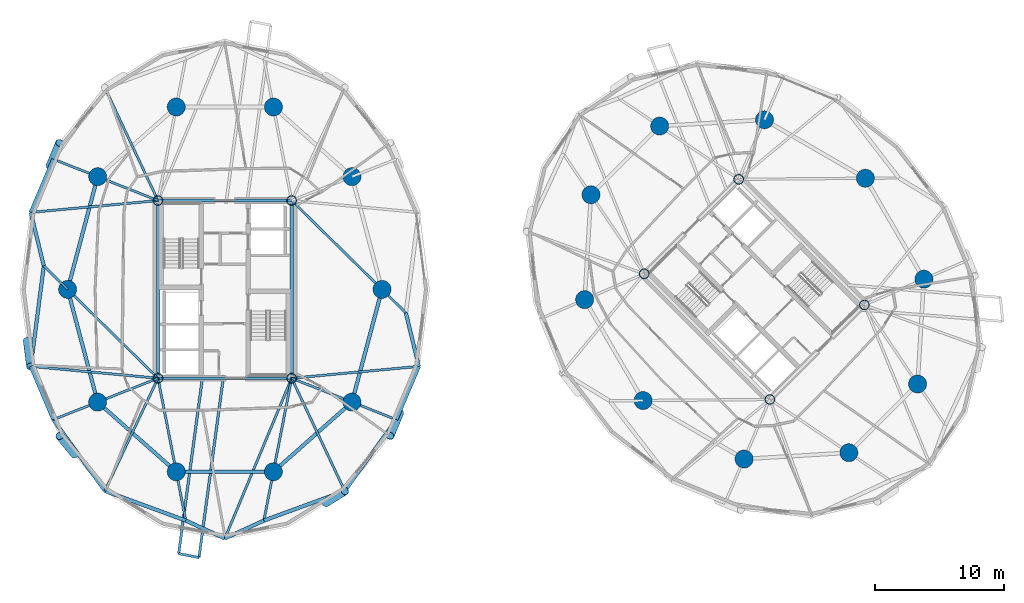
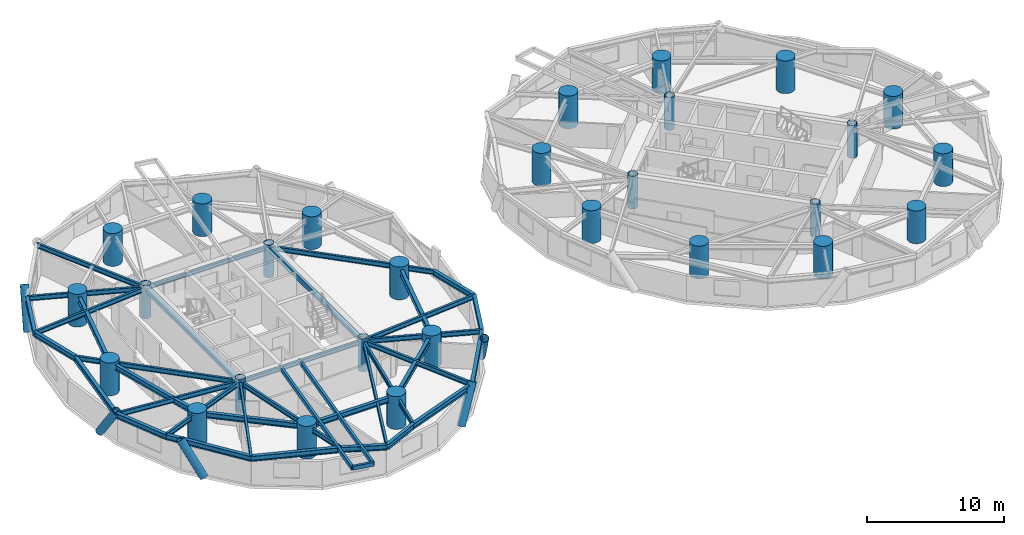
# One storey, part 1 of 17: 40 beams, 28 columns, 5 members.
"""IFC4 building model written with IfcOpenShell, lengths in metres."""

from ifc_helpers import new_model, si_unit, direction, frame, origin, origin_2d, place, context, subcontext, project, spatial, hollow_rectangle, circle, hollow_circle, i_section, extrude, material, material_profile, profile_set, type_object, element, save


model = new_model("IFC4")

# Units and contexts
model_context = context("Model", 3, precision=1e-05, world=origin(), true_north=direction((0.0, 1.0)))
body_context = subcontext(model_context, "Body", "Model", "MODEL_VIEW")
ifc_project = project(units=[si_unit("LENGTHUNIT", "METRE"), si_unit("AREAUNIT", "SQUARE_METRE"), si_unit("VOLUMEUNIT", "CUBIC_METRE"), si_unit("PLANEANGLEUNIT", "RADIAN"), si_unit("MASSUNIT", "GRAM", prefix="KILO")], contexts=[model_context])

# Site, building, storey
site_placement = place(None, origin())
site = spatial("IfcSite", under=ifc_project, at=site_placement, CompositionType="ELEMENT")
building_placement = place(site_placement, origin())
building = spatial("IfcBuilding", under=site, at=building_placement, Name="Cununo Teusaquillo Station Towers", CompositionType="ELEMENT")
storey_placement = place(building_placement, frame((0.0, 0.0, 116.7099609375)))
storey = spatial("IfcBuildingStorey", under=building, at=storey_placement, Name="L37", CompositionType="ELEMENT", Elevation=116.7099609375)

# Columns
ifc_material_1 = material(Name="Steel EN 10025-2 S355J2", Category="steel")
ifc_material_profile_1 = material_profile(ifc_material_1, hollow_circle(Radius=0.3798828125, WallThickness=0.031982421875, at=origin_2d()), Name="CHS 760x32")
ifc_profile_set_1 = profile_set([ifc_material_profile_1], Name="Steel EN 10025-2 S355J2")
column_type_1 = type_object("IfcColumnType", Name="COL-CORE-Z2", PredefinedType="COLUMN", material=ifc_profile_set_1)
for number, where, z_axis, x_axis, name in (
    (1, (11.324951171875, 17.6201171875, 0.0), (0.0, 0.0, 1.0), (1.0, 0.0, 0.0), "L37 Tower A Core Column 1"),
    (2, (11.324951171875, 31.3798828125, 0.0), (0.0, 0.0, 1.0), (1.0, 0.0, 0.0), "L37 Tower A Core Column 2"),
    (3, (21.675048828125, 17.6201171875, 0.0), (0.0, 0.0, 1.0), (1.0, 0.0, 0.0), "L37 Tower A Core Column 3"),
    (4, (21.675048828125, 31.3798828125, 0.0), (0.0, 0.0, 1.0), (1.0, 0.0, 0.0), "L37 Tower A Core Column 4"),
    (5, (58.70556640625, 15.975830078125, 0.0), (0.0, 0.0, 1.0), (0.707106781187, 0.707106781187, 0.0), "L37 Tower B Core Column 1"),
    (6, (48.975830078125, 25.70556640625, 0.0), (0.0, 0.0, 1.0), (0.707106781187, 0.707106781187, 0.0), "L37 Tower B Core Column 2"),
    (7, (66.024169921875, 23.29443359375, 0.0), (0.0, 0.0, 1.0), (0.707106781187, 0.707106781187, 0.0), "L37 Tower B Core Column 3"),
    (8, (56.29443359375, 33.024169921875, 0.0), (0.0, 0.0, 1.0), (0.707106781187, 0.707106781187, 0.0), "L37 Tower B Core Column 4"),
):
    element("IfcColumn", number, at=place(storey_placement, frame(where, z_axis=z_axis, x_axis=x_axis)), inside=storey, type_object=column_type_1, Name=name, PredefinedType="COLUMN", context=body_context, shape_type="SweptSolid", body=[
        extrude(hollow_circle(Radius=0.3798828125, WallThickness=0.031982421875, at=origin_2d()), origin(), (0.0, 0.0, 1.0), 2.91015625),
    ])
ifc_material_2 = material(Name="Concrete C60/75", Category="concrete")
ifc_material_profile_2 = material_profile(ifc_material_2, circle(Radius=0.699951171875, at=origin_2d()), Name="RC-CIRC-1400")
ifc_profile_set_2 = profile_set([ifc_material_profile_2], Name="Concrete C60/75")
column_type_2 = type_object("IfcColumnType", Name="COL-MEGA-Z2", PredefinedType="USERDEFINED", material=ifc_profile_set_2)
for number, where, z_axis, x_axis, name in (
    (9, (28.672119140625, 24.5, 0.0), (0.0, 0.0, 1.0), (1.0, 0.0, 0.0), "L37 Tower A Perimeter Column V00"),
    (10, (26.347412109375, 33.228515625, 0.0), (0.0, 0.0, 1.0), (1.0, 0.0, 0.0), "L37 Tower A Perimeter Column V02"),
    (11, (20.261474609375, 38.623291015625, 0.0), (0.0, 0.0, 1.0), (1.0, 0.0, 0.0), "L37 Tower A Perimeter Column V04"),
    (12, (12.738525390625, 38.623291015625, 0.0), (0.0, 0.0, 1.0), (1.0, 0.0, 0.0), "L37 Tower A Perimeter Column V06"),
    (13, (6.652587890625, 33.228515625, 0.0), (0.0, 0.0, 1.0), (1.0, 0.0, 0.0), "L37 Tower A Perimeter Column V08"),
    (14, (4.327880859375, 24.5, 0.0), (0.0, 0.0, 1.0), (1.0, 0.0, 0.0), "L37 Tower A Perimeter Column V10"),
    (15, (6.652587890625, 15.771484375, 0.0), (0.0, 0.0, 1.0), (1.0, 0.0, 0.0), "L37 Tower A Perimeter Column V12"),
    (16, (12.738525390625, 10.376708984375, 0.0), (0.0, 0.0, 1.0), (1.0, 0.0, 0.0), "L37 Tower A Perimeter Column V14"),
    (17, (20.261474609375, 10.376708984375, 0.0), (0.0, 0.0, 1.0), (1.0, 0.0, 0.0), "L37 Tower A Perimeter Column V16"),
    (18, (26.347412109375, 15.771484375, 0.0), (0.0, 0.0, 1.0), (1.0, 0.0, 0.0), "L37 Tower A Perimeter Column V18"),
    (19, (66.10693359375, 33.10693359375, 0.0), (0.0, 0.0, 1.0), (1.0, 0.0, 0.0), "L37 Tower B Perimeter Column V00"),
    (20, (58.291015625, 37.63525390625, 0.0), (0.0, 0.0, 1.0), (1.0, 0.0, 0.0), "L37 Tower B Perimeter Column V02"),
    (21, (50.173095703125, 37.146240234375, 0.0), (0.0, 0.0, 1.0), (1.0, 0.0, 0.0), "L37 Tower B Perimeter Column V04"),
    (22, (44.853759765625, 31.826904296875, 0.0), (0.0, 0.0, 1.0), (1.0, 0.0, 0.0), "L37 Tower B Perimeter Column V06"),
    (23, (44.36474609375, 23.708984375, 0.0), (0.0, 0.0, 1.0), (1.0, 0.0, 0.0), "L37 Tower B Perimeter Column V08"),
    (24, (48.89306640625, 15.89306640625, 0.0), (0.0, 0.0, 1.0), (1.0, 0.0, 0.0), "L37 Tower B Perimeter Column V10"),
    (25, (56.708984375, 11.36474609375, 0.0), (0.0, 0.0, 1.0), (1.0, 0.0, 0.0), "L37 Tower B Perimeter Column V12"),
    (26, (64.826904296875, 11.853759765625, 0.0), (0.0, 0.0, 1.0), (1.0, 0.0, 0.0), "L37 Tower B Perimeter Column V14"),
    (27, (70.146240234375, 17.173095703125, 0.0), (0.0, 0.0, 1.0), (1.0, 0.0, 0.0), "L37 Tower B Perimeter Column V16"),
    (28, (70.63525390625, 25.291015625, 0.0), (0.0, 0.0, 1.0), (1.0, 0.0, 0.0), "L37 Tower B Perimeter Column V18"),
):
    element("IfcColumn", number, at=place(storey_placement, frame(where, z_axis=z_axis, x_axis=x_axis)), inside=storey, type_object=column_type_2, Name=name, ObjectType="MEGA COLUMN", PredefinedType="USERDEFINED", context=body_context, shape_type="SweptSolid", body=[
        extrude(circle(Radius=0.699951171875, at=origin_2d()), origin(), (0.0, 0.0, 1.0), 2.91015625),
    ])

# Beams
ifc_material_3 = material(Name="Steel EN 10025-2 S355J2", Category="steel")
ifc_material_profile_3 = material_profile(ifc_material_3, hollow_rectangle(XDim=0.199951171875, YDim=0.35009765625, WallThickness=0.013916015625, at=origin_2d()), Name="RHS 350x200x14")
ifc_profile_set_3 = profile_set([ifc_material_profile_3], Name="Steel EN 10025-2 S355J2")
beam_type_1 = type_object("IfcBeamType", Name="BM-BAL-CANT", PredefinedType="BEAM", material=ifc_profile_set_3)
beam_1_placement = place(storey_placement, frame((14.793701171875, 17.85009765625, 2.4951171875), z_axis=(-0.133960678738, -0.990986648019, 0.0), x_axis=(0.990986648019, -0.133960678738, 0.0)))
element("IfcBeam", 29, at=beam_1_placement, inside=storey, type_object=beam_type_1, Name="L37 Tower A Balcony Cantilever Bracket 2A", PredefinedType="BEAM", context=body_context, shape_type="SweptSolid", body=[
    extrude(hollow_rectangle(XDim=0.199951171875, YDim=0.35009765625, WallThickness=0.013916015625, at=origin_2d()), origin(), (0.0, 0.0, 1.0), 13.9345703125),
])
beam_2_placement = place(storey_placement, frame((16.40869140625, 17.85009765625, 2.4951171875), z_axis=(-0.133936551357, -0.990989909237, 0.0), x_axis=(0.990989909237, -0.133936551357, 0.0)))
element("IfcBeam", 30, at=beam_2_placement, inside=storey, type_object=beam_type_1, Name="L37 Tower A Balcony Cantilever Bracket 2B", PredefinedType="BEAM", context=body_context, shape_type="SweptSolid", body=[
    extrude(hollow_rectangle(XDim=0.199951171875, YDim=0.35009765625, WallThickness=0.013916015625, at=origin_2d()), origin(), (0.0, 0.0, 1.0), 14.24169921875),
])
ifc_material_4 = material(Name="Steel EN 10025-2 S355J2", Category="steel")
ifc_material_profile_4 = material_profile(ifc_material_4, hollow_rectangle(XDim=0.25, YDim=0.449951171875, WallThickness=0.01611328125, at=origin_2d()), Name="RHS 450x250x16")
ifc_profile_set_4 = profile_set([ifc_material_profile_4], Name="Steel EN 10025-2 S355J2")
beam_type_2 = type_object("IfcBeamType", Name="BM-COUP-1", PredefinedType="USERDEFINED", material=ifc_profile_set_4)
for number, where, z_axis, x_axis, name in (
    (31, (11.324951171875, 17.6201171875, 2.445068359375), (0.0, 1.0, 0.0), (-1.0, 0.0, 0.0), "L37 Tower A Core Beam 1"),
    (32, (21.675048828125, 17.6201171875, 2.445068359375), (0.0, 1.0, 0.0), (-1.0, 0.0, 0.0), "L37 Tower A Core Beam 2"),
):
    element("IfcBeam", number, at=place(storey_placement, frame(where, z_axis=z_axis, x_axis=x_axis)), inside=storey, type_object=beam_type_2, Name=name, ObjectType="COUPLING BEAM", PredefinedType="USERDEFINED", context=body_context, shape_type="SweptSolid", body=[
        extrude(hollow_rectangle(XDim=0.25, YDim=0.449951171875, WallThickness=0.01611328125, at=origin_2d()), origin(), (0.0, 0.0, 1.0), 13.759765625),
    ])
ifc_material_5 = material(Name="Steel ASTM A572 Grade 50", Category="steel")
ifc_material_profile_5 = material_profile(ifc_material_5, i_section(OverallWidth=0.180908203125, OverallDepth=0.4169921875, WebThickness=0.010986328125, FlangeThickness=0.018310546875, FilletRadius=0.012939453125, at=origin_2d()), Name="W16X57")
ifc_profile_set_5 = profile_set([ifc_material_profile_5], Name="Steel ASTM A572 Grade 50")
beam_type_3 = type_object("IfcBeamType", Name="BM-JOIST-1", PredefinedType="JOIST", material=ifc_profile_set_5)
beam_3_placement = place(storey_placement, frame((11.324951171875, 31.3798828125, 2.46142578125), z_axis=(-0.426319838016, 0.904572493344, 0.0), x_axis=(-0.904572493344, -0.426319838016, 0.0)))
element("IfcBeam", 33, at=beam_3_placement, inside=storey, type_object=beam_type_3, Name="L37 Tower A Radial Spandrel Joist V07", PredefinedType="JOIST", context=body_context, shape_type="SweptSolid", body=[
    extrude(i_section(OverallWidth=0.180908203125, OverallDepth=0.4169921875, WebThickness=0.010986328125, FlangeThickness=0.018310546875, FilletRadius=0.012939453125, at=origin_2d()), origin(), (0.0, 0.0, 1.0), 9.646728515625),
])
for number, where, z_axis, x_axis, name in (
    (34, (11.324951171875, 31.3798828125, 2.46142578125), (-0.995678537907, -0.09286683558, 0.0), (0.09286683558, -0.995678537907, 0.0), "L37 Tower A Radial Spandrel Joist V09"),
    (35, (11.324951171875, 17.6201171875, 2.46142578125), (-0.995678537907, 0.09286683558, 0.0), (-0.09286683558, -0.995678537907, 0.0), "L37 Tower A Radial Spandrel Joist V11"),
):
    element("IfcBeam", number, at=place(storey_placement, frame(where, z_axis=z_axis, x_axis=x_axis)), inside=storey, type_object=beam_type_3, Name=name, PredefinedType="JOIST", context=body_context, shape_type="SweptSolid", body=[
        extrude(i_section(OverallWidth=0.180908203125, OverallDepth=0.4169921875, WebThickness=0.010986328125, FlangeThickness=0.018310546875, FilletRadius=0.012939453125, at=origin_2d()), origin(), (0.0, 0.0, 1.0), 9.895263671875),
    ])
beam_4_placement = place(storey_placement, frame((11.324951171875, 17.6201171875, 2.46142578125), z_axis=(-0.426319838016, -0.904572493344, 0.0), x_axis=(0.904572493344, -0.426319838016, 0.0)))
element("IfcBeam", 36, at=beam_4_placement, inside=storey, type_object=beam_type_3, Name="L37 Tower A Radial Spandrel Joist V13", PredefinedType="JOIST", context=body_context, shape_type="SweptSolid", body=[
    extrude(i_section(OverallWidth=0.180908203125, OverallDepth=0.4169921875, WebThickness=0.010986328125, FlangeThickness=0.018310546875, FilletRadius=0.012939453125, at=origin_2d()), origin(), (0.0, 0.0, 1.0), 9.646728515625),
])
beam_5_placement = place(storey_placement, frame((21.675048828125, 17.6201171875, 2.46142578125), z_axis=(-0.38487837995, -0.922967297713, 0.0), x_axis=(0.922967297713, -0.38487837995, 0.0)))
element("IfcBeam", 37, at=beam_5_placement, inside=storey, type_object=beam_type_3, Name="L37 Tower A Radial Spandrel Joist V15", PredefinedType="JOIST", context=body_context, shape_type="SweptSolid", body=[
    extrude(i_section(OverallWidth=0.180908203125, OverallDepth=0.4169921875, WebThickness=0.010986328125, FlangeThickness=0.018310546875, FilletRadius=0.012939453125, at=origin_2d()), origin(), (0.0, 0.0, 1.0), 13.446044921875),
])
beam_6_placement = place(storey_placement, frame((21.675048828125, 17.6201171875, 2.46142578125), z_axis=(0.426319838016, -0.904572493344, 0.0), x_axis=(0.904572493344, 0.426319838016, 0.0)))
element("IfcBeam", 38, at=beam_6_placement, inside=storey, type_object=beam_type_3, Name="L37 Tower A Radial Spandrel Joist V17", PredefinedType="JOIST", context=body_context, shape_type="SweptSolid", body=[
    extrude(i_section(OverallWidth=0.180908203125, OverallDepth=0.4169921875, WebThickness=0.010986328125, FlangeThickness=0.018310546875, FilletRadius=0.012939453125, at=origin_2d()), origin(), (0.0, 0.0, 1.0), 9.646728515625),
])
beam_7_placement = place(storey_placement, frame((21.675048828125, 17.6201171875, 2.46142578125), z_axis=(0.995678537907, 0.09286683558, 0.0), x_axis=(-0.09286683558, 0.995678537907, 0.0)))
element("IfcBeam", 39, at=beam_7_placement, inside=storey, type_object=beam_type_3, Name="L37 Tower A Radial Spandrel Joist V19", PredefinedType="JOIST", context=body_context, shape_type="SweptSolid", body=[
    extrude(i_section(OverallWidth=0.180908203125, OverallDepth=0.4169921875, WebThickness=0.010986328125, FlangeThickness=0.018310546875, FilletRadius=0.012939453125, at=origin_2d()), origin(), (0.0, 0.0, 1.0), 9.895263671875),
])
ifc_material_6 = material(Name="Steel ASTM A572 Grade 50", Category="steel")
ifc_material_profile_6 = material_profile(ifc_material_6, i_section(OverallWidth=0.2041015625, OverallDepth=0.35009765625, WebThickness=0.008544921875, FlangeThickness=0.01513671875, FilletRadius=0.011962890625, at=origin_2d()), Name="W14X48")
ifc_profile_set_6 = profile_set([ifc_material_profile_6], Name="Steel ASTM A572 Grade 50")
beam_type_4 = type_object("IfcBeamType", Name="BM-LINTEL-1", PredefinedType="LINTEL", material=ifc_profile_set_6)
for number, where, z_axis, x_axis, name in (
    (40, (11.324951171875, 17.6201171875, 2.4951171875), (1.0, 0.0, 0.0), (0.0, 1.0, 0.0), "L37 Tower A Core Beam 3"),
    (41, (11.324951171875, 31.3798828125, 2.4951171875), (1.0, 0.0, 0.0), (0.0, 1.0, 0.0), "L37 Tower A Core Beam 4"),
):
    element("IfcBeam", number, at=place(storey_placement, frame(where, z_axis=z_axis, x_axis=x_axis)), inside=storey, type_object=beam_type_4, Name=name, PredefinedType="LINTEL", context=body_context, shape_type="SweptSolid", body=[
        extrude(i_section(OverallWidth=0.2041015625, OverallDepth=0.35009765625, WebThickness=0.008544921875, FlangeThickness=0.01513671875, FilletRadius=0.011962890625, at=origin_2d()), origin(), (0.0, 0.0, 1.0), 10.35009765625),
    ])
ifc_material_7 = material(Name="Steel ASTM A572 Grade 50", Category="steel")
ifc_material_profile_7 = material_profile(ifc_material_7, i_section(OverallWidth=0.180908203125, OverallDepth=0.4169921875, WebThickness=0.010986328125, FlangeThickness=0.018310546875, FilletRadius=0.012939453125, at=origin_2d()), Name="W16X57")
ifc_profile_set_7 = profile_set([ifc_material_profile_7], Name="Steel ASTM A572 Grade 50")
beam_type_5 = type_object("IfcBeamType", Name="BM-RAD-G2", PredefinedType="BEAM", material=ifc_profile_set_7)
beam_8_placement = place(storey_placement, frame((21.675048828125, 31.3798828125, 2.46142578125), z_axis=(0.713047137857, -0.701116095375, 0.0), x_axis=(0.701116095375, 0.713047137857, 0.0)))
element("IfcBeam", 42, at=beam_8_placement, inside=storey, type_object=beam_type_5, Name="L37 Tower A Continuous Overhanging Radial Girder 01", PredefinedType="BEAM", context=body_context, shape_type="SweptSolid", body=[
    extrude(i_section(OverallWidth=0.180908203125, OverallDepth=0.4169921875, WebThickness=0.010986328125, FlangeThickness=0.018310546875, FilletRadius=0.012939453125, at=origin_2d()), origin(), (0.0, 0.0, 1.0), 12.400390625),
])
beam_9_placement = place(storey_placement, frame((11.324951171875, 31.3798828125, 2.46142578125), z_axis=(-0.929863123823, 0.367905654963, 0.0), x_axis=(-0.367905654963, -0.929863123823, 0.0)))
element("IfcBeam", 43, at=beam_9_placement, inside=storey, type_object=beam_type_5, Name="L37 Tower A Continuous Overhanging Radial Girder 05", PredefinedType="BEAM", context=body_context, shape_type="SweptSolid", body=[
    extrude(i_section(OverallWidth=0.180908203125, OverallDepth=0.4169921875, WebThickness=0.010986328125, FlangeThickness=0.018310546875, FilletRadius=0.012939453125, at=origin_2d()), origin(), (0.0, 0.0, 1.0), 8.715087890625),
])
beam_10_placement = place(storey_placement, frame((11.324951171875, 17.6201171875, 2.46142578125), z_axis=(-0.713052701438, 0.701110437073, 0.0), x_axis=(-0.701110437073, -0.713052701438, 0.0)))
element("IfcBeam", 44, at=beam_10_placement, inside=storey, type_object=beam_type_5, Name="L37 Tower A Radial Girder 06A", PredefinedType="BEAM", context=body_context, shape_type="SweptSolid", body=[
    extrude(i_section(OverallWidth=0.180908203125, OverallDepth=0.4169921875, WebThickness=0.010986328125, FlangeThickness=0.018310546875, FilletRadius=0.012939453125, at=origin_2d()), origin(), (0.0, 0.0, 1.0), 9.812744140625),
])
beam_11_placement = place(storey_placement, frame((4.327880859375, 24.5, 2.46142578125), z_axis=(-0.7130260383, 0.701137553342, 0.0), x_axis=(-0.701137553342, -0.7130260383, 0.0)))
element("IfcBeam", 45, at=beam_11_placement, inside=storey, type_object=beam_type_5, Name="L37 Tower A Perimeter Overhang Girder 06B", PredefinedType="BEAM", context=body_context, shape_type="SweptSolid", body=[
    extrude(i_section(OverallWidth=0.180908203125, OverallDepth=0.4169921875, WebThickness=0.010986328125, FlangeThickness=0.018310546875, FilletRadius=0.012939453125, at=origin_2d()), origin(), (0.0, 0.0, 1.0), 2.58740234375),
])
beam_12_placement = place(storey_placement, frame((11.324951171875, 17.6201171875, 2.46142578125), z_axis=(-0.929863123823, -0.367905654963, 0.0), x_axis=(0.367905654963, -0.929863123823, 0.0)))
element("IfcBeam", 46, at=beam_12_placement, inside=storey, type_object=beam_type_5, Name="L37 Tower A Continuous Overhanging Radial Girder 07", PredefinedType="BEAM", context=body_context, shape_type="SweptSolid", body=[
    extrude(i_section(OverallWidth=0.180908203125, OverallDepth=0.4169921875, WebThickness=0.010986328125, FlangeThickness=0.018310546875, FilletRadius=0.012939453125, at=origin_2d()), origin(), (0.0, 0.0, 1.0), 8.715087890625),
])
for number, where, z_axis, x_axis, name in (
    (47, (11.324951171875, 17.6201171875, 2.46142578125), (0.191552755713, -0.981482318628, 0.0), (0.981482318628, 0.191552755713, 0.0), "L37 Tower A Continuous Overhanging Radial Girder 08"),
    (48, (21.675048828125, 17.6201171875, 2.46142578125), (-0.191552755713, -0.981482318628, 0.0), (0.981482318628, -0.191552755713, 0.0), "L37 Tower A Continuous Overhanging Radial Girder 09"),
):
    element("IfcBeam", number, at=place(storey_placement, frame(where, z_axis=z_axis, x_axis=x_axis)), inside=storey, type_object=beam_type_5, Name=name, PredefinedType="BEAM", context=body_context, shape_type="SweptSolid", body=[
        extrude(i_section(OverallWidth=0.180908203125, OverallDepth=0.4169921875, WebThickness=0.010986328125, FlangeThickness=0.018310546875, FilletRadius=0.012939453125, at=origin_2d()), origin(), (0.0, 0.0, 1.0), 11.22998046875),
    ])
beam_13_placement = place(storey_placement, frame((21.675048828125, 17.6201171875, 2.46142578125), z_axis=(0.929863123823, -0.367905654963, 0.0), x_axis=(0.367905654963, 0.929863123823, 0.0)))
element("IfcBeam", 49, at=beam_13_placement, inside=storey, type_object=beam_type_5, Name="L37 Tower A Continuous Overhanging Radial Girder 10", PredefinedType="BEAM", context=body_context, shape_type="SweptSolid", body=[
    extrude(i_section(OverallWidth=0.180908203125, OverallDepth=0.4169921875, WebThickness=0.010986328125, FlangeThickness=0.018310546875, FilletRadius=0.012939453125, at=origin_2d()), origin(), (0.0, 0.0, 1.0), 8.715087890625),
])
ifc_material_8 = material(Name="Steel ASTM A572 Grade 50", Category="steel")
ifc_material_profile_8 = material_profile(ifc_material_8, i_section(OverallWidth=0.280029296875, OverallDepth=0.462890625, WebThickness=0.0107421875, FlangeThickness=0.017333984375, FilletRadius=0.013916015625, at=origin_2d()), Name="W18X76")
ifc_profile_set_8 = profile_set([ifc_material_profile_8], Name="Steel ASTM A572 Grade 50")
beam_type_6 = type_object("IfcBeamType", Name="BM-RING-Z2", PredefinedType="SPANDREL", material=ifc_profile_set_8)
for number, where, z_axis, x_axis, name in (
    (50, (6.652587890625, 33.228515625, 2.4384765625), (-0.257363196347, -0.966314744359, 0.0), (0.966314744359, -0.257363196347, 0.0), "L37 Tower A Structural Column Ring Girder 05"),
    (51, (4.327880859375, 24.5, 2.4384765625), (0.257363196347, -0.966314744359, 0.0), (0.966314744359, 0.257363196347, 0.0), "L37 Tower A Structural Column Ring Girder 06"),
):
    element("IfcBeam", number, at=place(storey_placement, frame(where, z_axis=z_axis, x_axis=x_axis)), inside=storey, type_object=beam_type_6, Name=name, PredefinedType="SPANDREL", context=body_context, shape_type="SweptSolid", body=[
        extrude(i_section(OverallWidth=0.280029296875, OverallDepth=0.462890625, WebThickness=0.0107421875, FlangeThickness=0.017333984375, FilletRadius=0.013916015625, at=origin_2d()), origin(), (0.0, 0.0, 1.0), 9.03271484375),
    ])
beam_14_placement = place(storey_placement, frame((6.652587890625, 15.771484375, 2.4384765625), z_axis=(0.74832120039, -0.66333655187, 0.0), x_axis=(0.66333655187, 0.74832120039, 0.0)))
element("IfcBeam", 52, at=beam_14_placement, inside=storey, type_object=beam_type_6, Name="L37 Tower A Structural Column Ring Girder 07", PredefinedType="SPANDREL", context=body_context, shape_type="SweptSolid", body=[
    extrude(i_section(OverallWidth=0.280029296875, OverallDepth=0.462890625, WebThickness=0.0107421875, FlangeThickness=0.017333984375, FilletRadius=0.013916015625, at=origin_2d()), origin(), (0.0, 0.0, 1.0), 8.1328125),
])
beam_15_placement = place(storey_placement, frame((12.738525390625, 10.376708984375, 2.4384765625), z_axis=(1.0, 0.0, 0.0), x_axis=(0.0, 1.0, 0.0)))
element("IfcBeam", 53, at=beam_15_placement, inside=storey, type_object=beam_type_6, Name="L37 Tower A Structural Column Ring Girder 08", PredefinedType="SPANDREL", context=body_context, shape_type="SweptSolid", body=[
    extrude(i_section(OverallWidth=0.280029296875, OverallDepth=0.462890625, WebThickness=0.0107421875, FlangeThickness=0.017333984375, FilletRadius=0.013916015625, at=origin_2d()), origin(), (0.0, 0.0, 1.0), 7.52294921875),
])
beam_16_placement = place(storey_placement, frame((20.261474609375, 10.376708984375, 2.4384765625), z_axis=(0.74832120039, 0.66333655187, 0.0), x_axis=(-0.66333655187, 0.74832120039, 0.0)))
element("IfcBeam", 54, at=beam_16_placement, inside=storey, type_object=beam_type_6, Name="L37 Tower A Structural Column Ring Girder 09", PredefinedType="SPANDREL", context=body_context, shape_type="SweptSolid", body=[
    extrude(i_section(OverallWidth=0.280029296875, OverallDepth=0.462890625, WebThickness=0.0107421875, FlangeThickness=0.017333984375, FilletRadius=0.013916015625, at=origin_2d()), origin(), (0.0, 0.0, 1.0), 8.1328125),
])
beam_17_placement = place(storey_placement, frame((26.347412109375, 15.771484375, 2.4384765625), z_axis=(0.257363196347, 0.966314744359, 0.0), x_axis=(-0.966314744359, 0.257363196347, 0.0)))
element("IfcBeam", 55, at=beam_17_placement, inside=storey, type_object=beam_type_6, Name="L37 Tower A Structural Column Ring Girder 10", PredefinedType="SPANDREL", context=body_context, shape_type="SweptSolid", body=[
    extrude(i_section(OverallWidth=0.280029296875, OverallDepth=0.462890625, WebThickness=0.0107421875, FlangeThickness=0.017333984375, FilletRadius=0.013916015625, at=origin_2d()), origin(), (0.0, 0.0, 1.0), 9.03271484375),
])
beam_18_placement = place(storey_placement, frame((3.22119140625, 34.586181640625, 2.4384765625), z_axis=(-0.390299356049, -0.920688010494, 0.0), x_axis=(0.920688010494, -0.390299356049, 0.0)))
element("IfcBeam", 56, at=beam_18_placement, inside=storey, type_object=beam_type_6, Name="L37 Tower A Spandrel Ring Beam 09", PredefinedType="SPANDREL", context=body_context, shape_type="SweptSolid", body=[
    extrude(i_section(OverallWidth=0.280029296875, OverallDepth=0.462890625, WebThickness=0.0107421875, FlangeThickness=0.017333984375, FilletRadius=0.013916015625, at=origin_2d()), origin(), (0.0, 0.0, 1.0), 4.480712890625),
])
beam_19_placement = place(storey_placement, frame((1.472412109375, 30.4609375, 2.4384765625), z_axis=(0.236757334703, -0.971568816124, 0.0), x_axis=(0.971568816124, 0.236757334703, 0.0)))
element("IfcBeam", 57, at=beam_19_placement, inside=storey, type_object=beam_type_6, Name="L37 Tower A Spandrel Ring Beam 10", PredefinedType="SPANDREL", context=body_context, shape_type="SweptSolid", body=[
    extrude(i_section(OverallWidth=0.280029296875, OverallDepth=0.462890625, WebThickness=0.0107421875, FlangeThickness=0.017333984375, FilletRadius=0.013916015625, at=origin_2d()), origin(), (0.0, 0.0, 1.0), 4.26806640625),
])
beam_20_placement = place(storey_placement, frame((2.48291015625, 26.314208984375, 2.4384765625), z_axis=(-0.12888124113, -0.991660035337, 0.0), x_axis=(0.991660035337, -0.12888124113, 0.0)))
element("IfcBeam", 58, at=beam_20_placement, inside=storey, type_object=beam_type_6, Name="L37 Tower A Spandrel Ring Beam 11", PredefinedType="SPANDREL", context=body_context, shape_type="SweptSolid", body=[
    extrude(i_section(OverallWidth=0.280029296875, OverallDepth=0.462890625, WebThickness=0.0107421875, FlangeThickness=0.017333984375, FilletRadius=0.013916015625, at=origin_2d()), origin(), (0.0, 0.0, 1.0), 7.840576171875),
])
beam_21_placement = place(storey_placement, frame((1.472412109375, 18.5390625, 2.4384765625), z_axis=(0.390299356049, -0.920688010494, 0.0), x_axis=(0.920688010494, 0.390299356049, 0.0)))
element("IfcBeam", 59, at=beam_21_placement, inside=storey, type_object=beam_type_6, Name="L37 Tower A Spandrel Ring Beam 12", PredefinedType="SPANDREL", context=body_context, shape_type="SweptSolid", body=[
    extrude(i_section(OverallWidth=0.280029296875, OverallDepth=0.462890625, WebThickness=0.0107421875, FlangeThickness=0.017333984375, FilletRadius=0.013916015625, at=origin_2d()), origin(), (0.0, 0.0, 1.0), 4.480712890625),
])
beam_22_placement = place(storey_placement, frame((3.22119140625, 14.413818359375, 2.4384765625), z_axis=(0.58594455724, -0.810351143543, 0.0), x_axis=(0.810351143543, 0.58594455724, 0.0)))
element("IfcBeam", 60, at=beam_22_placement, inside=storey, type_object=beam_type_6, Name="L37 Tower A Spandrel Ring Beam 13", PredefinedType="SPANDREL", context=body_context, shape_type="SweptSolid", body=[
    extrude(i_section(OverallWidth=0.280029296875, OverallDepth=0.462890625, WebThickness=0.0107421875, FlangeThickness=0.017333984375, FilletRadius=0.013916015625, at=origin_2d()), origin(), (0.0, 0.0, 1.0), 6.8115234375),
])
beam_23_placement = place(storey_placement, frame((7.21240234375, 8.89404296875, 2.4384765625), z_axis=(0.938914161016, -0.34415141761, 0.0), x_axis=(0.34415141761, 0.938914161016, 0.0)))
element("IfcBeam", 61, at=beam_23_placement, inside=storey, type_object=beam_type_6, Name="L37 Tower A Spandrel Ring Beam 14", PredefinedType="SPANDREL", context=body_context, shape_type="SweptSolid", body=[
    extrude(i_section(OverallWidth=0.280029296875, OverallDepth=0.462890625, WebThickness=0.0107421875, FlangeThickness=0.017333984375, FilletRadius=0.013916015625, at=origin_2d()), origin(), (0.0, 0.0, 1.0), 6.671142578125),
])
for number, where, z_axis, x_axis, name in (
    (62, (13.47607421875, 6.59814453125, 2.4384765625), (0.908812215281, -0.417205413862, 0.0), (0.417205413862, 0.908812215281, 0.0), "L37 Tower A Spandrel Ring Beam 15"),
    (63, (16.5, 5.2099609375, 2.4384765625), (0.908812215281, 0.417205413862, 0.0), (-0.417205413862, 0.908812215281, 0.0), "L37 Tower A Spandrel Ring Beam 16"),
):
    element("IfcBeam", number, at=place(storey_placement, frame(where, z_axis=z_axis, x_axis=x_axis)), inside=storey, type_object=beam_type_6, Name=name, PredefinedType="SPANDREL", context=body_context, shape_type="SweptSolid", body=[
        extrude(i_section(OverallWidth=0.280029296875, OverallDepth=0.462890625, WebThickness=0.0107421875, FlangeThickness=0.017333984375, FilletRadius=0.013916015625, at=origin_2d()), origin(), (0.0, 0.0, 1.0), 3.327392578125),
    ])
beam_24_placement = place(storey_placement, frame((19.52392578125, 6.59814453125, 2.4384765625), z_axis=(0.938914161016, 0.34415141761, 0.0), x_axis=(-0.34415141761, 0.938914161016, 0.0)))
element("IfcBeam", 64, at=beam_24_placement, inside=storey, type_object=beam_type_6, Name="L37 Tower A Spandrel Ring Beam 17", PredefinedType="SPANDREL", context=body_context, shape_type="SweptSolid", body=[
    extrude(i_section(OverallWidth=0.280029296875, OverallDepth=0.462890625, WebThickness=0.0107421875, FlangeThickness=0.017333984375, FilletRadius=0.013916015625, at=origin_2d()), origin(), (0.0, 0.0, 1.0), 6.671142578125),
])
beam_25_placement = place(storey_placement, frame((25.78759765625, 8.89404296875, 2.4384765625), z_axis=(0.58594455724, 0.810351143543, 0.0), x_axis=(-0.810351143543, 0.58594455724, 0.0)))
element("IfcBeam", 65, at=beam_25_placement, inside=storey, type_object=beam_type_6, Name="L37 Tower A Spandrel Ring Beam 18", PredefinedType="SPANDREL", context=body_context, shape_type="SweptSolid", body=[
    extrude(i_section(OverallWidth=0.280029296875, OverallDepth=0.462890625, WebThickness=0.0107421875, FlangeThickness=0.017333984375, FilletRadius=0.013916015625, at=origin_2d()), origin(), (0.0, 0.0, 1.0), 6.8115234375),
])
beam_26_placement = place(storey_placement, frame((29.77880859375, 14.413818359375, 2.4384765625), z_axis=(0.390299356049, 0.920688010494, 0.0), x_axis=(-0.920688010494, 0.390299356049, 0.0)))
element("IfcBeam", 66, at=beam_26_placement, inside=storey, type_object=beam_type_6, Name="L37 Tower A Spandrel Ring Beam 19", PredefinedType="SPANDREL", context=body_context, shape_type="SweptSolid", body=[
    extrude(i_section(OverallWidth=0.280029296875, OverallDepth=0.462890625, WebThickness=0.0107421875, FlangeThickness=0.017333984375, FilletRadius=0.013916015625, at=origin_2d()), origin(), (0.0, 0.0, 1.0), 4.480712890625),
])
beam_27_placement = place(storey_placement, frame((31.527587890625, 18.5390625, 2.4384765625), z_axis=(-0.236757334703, 0.971568816124, 0.0), x_axis=(-0.971568816124, -0.236757334703, 0.0)))
element("IfcBeam", 67, at=beam_27_placement, inside=storey, type_object=beam_type_6, Name="L37 Tower A Spandrel Ring Beam 20", PredefinedType="SPANDREL", context=body_context, shape_type="SweptSolid", body=[
    extrude(i_section(OverallWidth=0.280029296875, OverallDepth=0.462890625, WebThickness=0.0107421875, FlangeThickness=0.017333984375, FilletRadius=0.013916015625, at=origin_2d()), origin(), (0.0, 0.0, 1.0), 4.26806640625),
])
ifc_material_9 = material(Name="Steel EN 10025-2 S355J2", Category="steel")
ifc_material_profile_9 = material_profile(ifc_material_9, hollow_rectangle(XDim=0.199951171875, YDim=0.35009765625, WallThickness=0.013916015625, at=origin_2d()), Name="RHS 350x200x14")
ifc_profile_set_9 = profile_set([ifc_material_profile_9], Name="Steel EN 10025-2 S355J2")
beam_type_7 = type_object("IfcBeamType", Name="BM-STAIR-TRIM", PredefinedType="BEAM", material=ifc_profile_set_9)
beam_28_placement = place(storey_placement, frame((12.927001953125, 4.041015625, 2.525146484375), z_axis=(0.981836621572, -0.189728354603, 0.0), x_axis=(0.189728354603, 0.981836621572, 0.0)))
element("IfcBeam", 68, at=beam_28_placement, inside=storey, type_object=beam_type_7, Name="L37 Tower A Balcony Edge Trimmer Beam 2", PredefinedType="BEAM", context=body_context, shape_type="SweptSolid", body=[
    extrude(hollow_rectangle(XDim=0.199951171875, YDim=0.35009765625, WallThickness=0.013916015625, at=origin_2d()), origin(), (0.0, 0.0, 1.0), 1.603271484375),
])

# Members
ifc_material_10 = material(Name="Steel EN 10025-2 S355J2", Category="steel")
ifc_material_profile_10 = material_profile(ifc_material_10, hollow_circle(Radius=0.330078125, WallThickness=0.02490234375, at=origin_2d()), Name="CHS 660x25")
ifc_profile_set_10 = profile_set([ifc_material_profile_10], Name="Steel EN 10025-2 S355J2")
member_type = type_object("IfcMemberType", Name="MBR-DIAG-Z2", PredefinedType="BRACE", material=ifc_profile_set_10)
member_1_placement = place(storey_placement, frame((2.968505859375, 34.0458984375, -0.139892578125), z_axis=(0.213880258627, 0.512335679883, 0.831725547334), x_axis=(-0.922816406816, 0.385240028179, 0.0)))
element("IfcMember", 69, at=member_1_placement, inside=storey, type_object=member_type, Name="L37 Tower A Folded-Zigzag Diagrid Tube C08", PredefinedType="BRACE", context=body_context, shape_type="SweptSolid", body=[
    extrude(hollow_circle(Radius=0.330078125, WallThickness=0.02490234375, at=origin_2d()), origin(), (0.0, 0.0, 1.0), 3.49853515625),
])
member_2_placement = place(storey_placement, frame((1.214599609375, 20.526123046875, -0.139892578125), z_axis=(0.072971585914, -0.562420206205, 0.823625314874), x_axis=(0.991687829619, 0.128667200894, 0.0)))
element("IfcMember", 70, at=member_2_placement, inside=storey, type_object=member_type, Name="L37 Tower A Folded-Zigzag Diagrid Tube C10", PredefinedType="BRACE", context=body_context, shape_type="SweptSolid", body=[
    extrude(hollow_circle(Radius=0.330078125, WallThickness=0.02490234375, at=origin_2d()), origin(), (0.0, 0.0, 1.0), 3.532958984375),
])
member_3_placement = place(storey_placement, frame((4.8818359375, 11.739013671875, -0.139892578125), z_axis=(-0.33845803995, 0.413284786, 0.845364915793), x_axis=(-0.773667352654, -0.633592003924, 0.0)))
element("IfcMember", 71, at=member_3_placement, inside=storey, type_object=member_type, Name="L37 Tower A Folded-Zigzag Diagrid Tube C12", PredefinedType="BRACE", context=body_context, shape_type="SweptSolid", body=[
    extrude(hollow_circle(Radius=0.330078125, WallThickness=0.02490234375, at=origin_2d()), origin(), (0.0, 0.0, 1.0), 3.442138671875),
])
member_4_placement = place(storey_placement, frame((24.3193359375, 7.980712890625, -0.139892578125), z_axis=(0.433768032271, 0.269824776975, 0.859674289432), x_axis=(-0.528195574716, 0.849122744278, 0.0)))
element("IfcMember", 72, at=member_4_placement, inside=storey, type_object=member_type, Name="L37 Tower A Folded-Zigzag Diagrid Tube C16", PredefinedType="BRACE", context=body_context, shape_type="SweptSolid", body=[
    extrude(hollow_circle(Radius=0.330078125, WallThickness=0.02490234375, at=origin_2d()), origin(), (0.0, 0.0, 1.0), 3.385009765625),
])
member_5_placement = place(storey_placement, frame((30.031494140625, 14.9541015625, -0.139892578125), z_axis=(-0.213880258627, -0.512335679883, 0.831725547334), x_axis=(0.922816406816, -0.385240028179, 0.0)))
element("IfcMember", 73, at=member_5_placement, inside=storey, type_object=member_type, Name="L37 Tower A Folded-Zigzag Diagrid Tube C18", PredefinedType="BRACE", context=body_context, shape_type="SweptSolid", body=[
    extrude(hollow_circle(Radius=0.330078125, WallThickness=0.02490234375, at=origin_2d()), origin(), (0.0, 0.0, 1.0), 3.49853515625),
])

save(model, "model.ifc")
